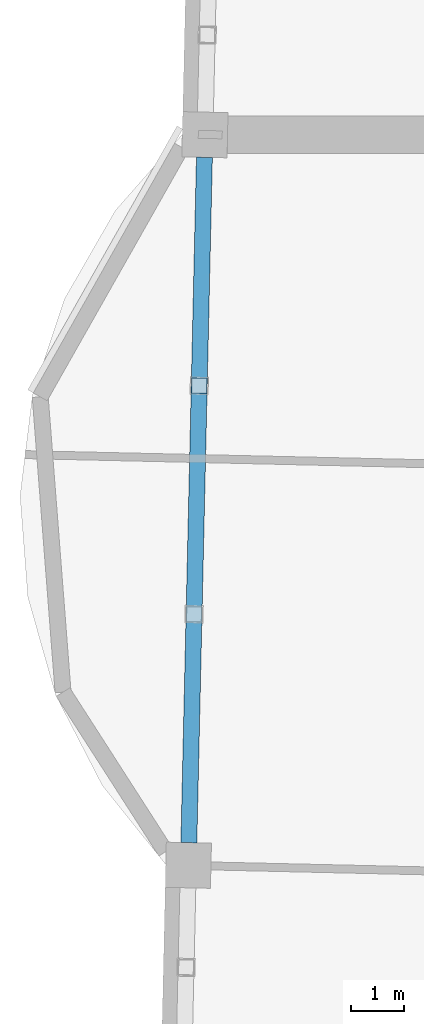
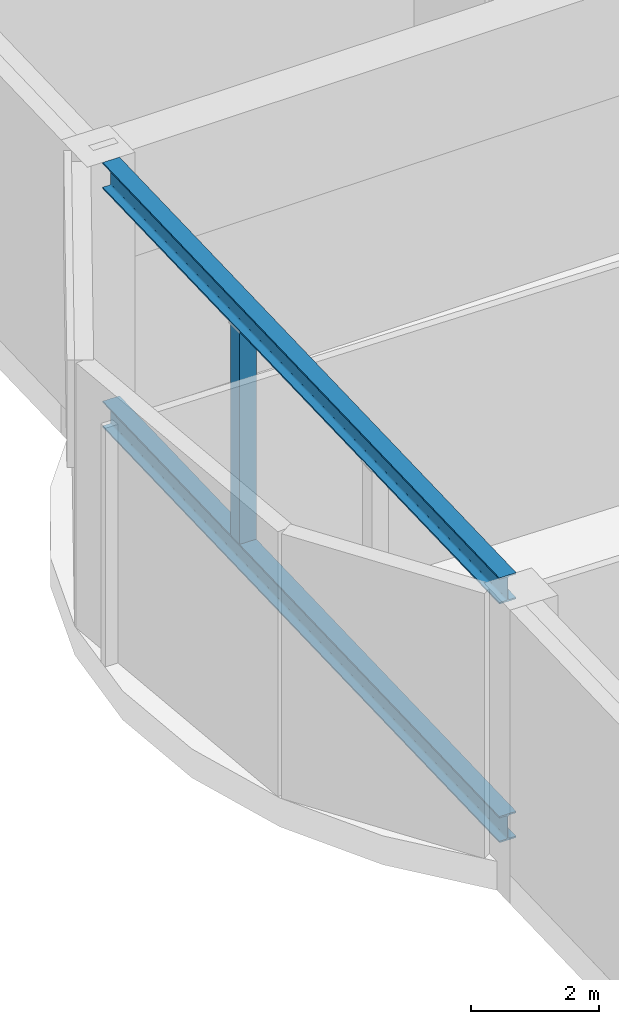
# One storey, part 3 of 16: 3 members.
"""IFC4 building model written with IfcOpenShell, lengths in metres."""

import ifcopenshell
import ifcopenshell.guid

model = None  # the IFC model being written
_history = None  # IfcOwnerHistory: only IFC2X3 demands one
_inside = {}  # id of a spatial element -> (the spatial element, [elements in it])
_under = {}  # id of a project, library or spatial element -> (it, [spatial elements below it])
_declared = {}  # id of a project -> (the project, [libraries it declares])
_typed = {}  # id of a type object -> (the type object, [elements of that type])
_made_of = {}  # id of a material, layer set ... -> (it, [elements and type objects made of it])


def new_model(schema):
    """Start an empty IFC model of exactly this schema.

    Asked for "IFC4X3", IfcOpenShell would pick the latest addendum, in which some entities
    have other attributes; the version numbers below select the first issue.
    IFC2X3 requires an IfcOwnerHistory on every rooted entity: one is made here for all.
    """
    global model, _history
    if schema == "IFC4X3":
        model = ifcopenshell.file(schema_version=(4, 3, 0, 0))
    else:
        model = ifcopenshell.file(schema=schema)
    _inside.clear()
    _under.clear()
    _declared.clear()
    _typed.clear()
    _made_of.clear()
    _history = None
    if model.schema == "IFC2X3":
        org = make("IfcOrganization", Name="unknown")
        user = make(
            "IfcPersonAndOrganization",
            ThePerson=make("IfcPerson", FamilyName="unknown"),
            TheOrganization=org,
        )
        app = make(
            "IfcApplication",
            ApplicationDeveloper=org,
            Version="unknown",
            ApplicationFullName="unknown",
            ApplicationIdentifier="unknown",
        )
        _history = make(
            "IfcOwnerHistory",
            OwningUser=user,
            OwningApplication=app,
            ChangeAction="ADDED",
            CreationDate=0,
        )
    return model


def make(cls, **values):
    """One entity of the class cls with the attributes given. An attribute that is None is left unset."""
    return model.create_entity(
        cls, **{name: value for name, value in values.items() if value is not None}
    )


def rooted(cls, **values):
    """An entity with a GlobalId (a new one), such as an element, a storey or a relation."""
    return make(cls, GlobalId=ifcopenshell.guid.new(), OwnerHistory=_history, **values)


def si_unit(unit_type, name, prefix=None):
    """IfcSIUnit, for example si_unit("LENGTHUNIT", "METRE", prefix="MILLI")."""
    return make("IfcSIUnit", UnitType=unit_type, Prefix=prefix, Name=name)


def assignment(units):
    """IfcUnitAssignment: the units of a project."""
    return None if units is None else make("IfcUnitAssignment", Units=units)


def point(xyz):
    """IfcCartesianPoint."""
    return None if xyz is None else make("IfcCartesianPoint", Coordinates=xyz)


def direction(xyz):
    """IfcDirection."""
    return None if xyz is None else make("IfcDirection", DirectionRatios=xyz)


def frame(location, z_axis=None, x_axis=None):
    """IfcAxis2Placement3D, a coordinate frame: its origin and axes. An axis left out is left unset."""
    return make(
        "IfcAxis2Placement3D",
        Location=point(location),
        Axis=direction(z_axis),
        RefDirection=direction(x_axis),
    )


def frame_2d(location, x_axis=None):
    """IfcAxis2Placement2D, a coordinate frame in the plane: its origin and x axis."""
    return make(
        "IfcAxis2Placement2D", Location=point(location), RefDirection=direction(x_axis)
    )


def origin():
    """The frame at (0, 0, 0) with its axes left unset."""
    return frame((0.0, 0.0, 0.0))


def origin_2d():
    """The frame at (0, 0) in the plane with its x axis left unset."""
    return frame_2d((0.0, 0.0))


def place(relative_to, where):
    """IfcLocalPlacement: puts the frame where relative to a parent placement (None: the world)."""
    return make(
        "IfcLocalPlacement", PlacementRelTo=relative_to, RelativePlacement=where
    )


def context(
    kind, dimensions, precision=None, world=None, true_north=None, identifier=None
):
    """IfcGeometricRepresentationContext, for example the 3D "Model" context."""
    return make(
        "IfcGeometricRepresentationContext",
        ContextIdentifier=identifier,
        ContextType=kind,
        CoordinateSpaceDimension=dimensions,
        Precision=precision,
        WorldCoordinateSystem=world,
        TrueNorth=true_north,
    )


def subcontext(parent, identifier, kind, view, scale=None):
    """IfcGeometricRepresentationSubContext, for example "Body" below "Model"."""
    return make(
        "IfcGeometricRepresentationSubContext",
        ContextIdentifier=identifier,
        ContextType=kind,
        ParentContext=parent,
        TargetScale=scale,
        TargetView=view,
    )


def project(units=None, contexts=None):
    """IfcProject with its units and contexts."""
    return rooted(
        "IfcProject",
        Name="project",
        RepresentationContexts=contexts,
        UnitsInContext=assignment(units),
    )


def spatial(cls, under=None, at=None, **own):
    """A site, building, storey or space (cls), placed at a placement, below another one or the project."""
    s = rooted(cls, ObjectPlacement=at, **own)
    if under is not None:
        _under.setdefault(under.id(), (under, []))[1].append(s)
    return s


def profile(cls, at=None, kind="AREA", **sizes):
    """A parametric profile (cls). Its sizes go by their IFC names, for example OverallWidth=200.0."""
    return make(cls, ProfileType=kind, Position=at, **sizes)


def hollow_rectangle(**sizes):
    """IfcRectangleHollowProfileDef."""
    return profile("IfcRectangleHollowProfileDef", **sizes)


def i_section(**sizes):
    """IfcIShapeProfileDef."""
    return profile("IfcIShapeProfileDef", **sizes)


def extrude(swept, where, along, depth):
    """IfcExtrudedAreaSolid: the profile swept, set in the frame where, extruded along a direction by depth."""
    return make(
        "IfcExtrudedAreaSolid",
        SweptArea=swept,
        Position=where,
        ExtrudedDirection=direction(along),
        Depth=depth,
    )


def shape(context_of_items, identifier, shape_type, items):
    """IfcShapeRepresentation: the items that make up one representation, for example the "Body"."""
    return make(
        "IfcShapeRepresentation",
        ContextOfItems=context_of_items,
        RepresentationIdentifier=identifier,
        RepresentationType=shape_type,
        Items=items,
    )


def material(Name=None, Category=None):
    """IfcMaterial."""
    return make("IfcMaterial", Name=Name, Category=Category)


def material_profile(
    of_material, cross_section, Name=None, Category=None, Priority=None
):
    """IfcMaterialProfile: a cross section and its material."""
    return make(
        "IfcMaterialProfile",
        Name=Name,
        Material=of_material,
        Profile=cross_section,
        Priority=Priority,
        Category=Category,
    )


def profile_set(profiles, Name=None, composite=None):
    """IfcMaterialProfileSet."""
    return make(
        "IfcMaterialProfileSet",
        Name=Name,
        MaterialProfiles=profiles,
        CompositeProfile=composite,
    )


def made_of(thing, what):
    """Note that an element or type object is made of a material, layer set ...; save() writes the relation."""
    if what is not None:
        _made_of.setdefault(what.id(), (what, []))[1].append(thing)
    return thing


def type_object(cls, material=None, **own):
    """A type object (cls), such as IfcWallType, which elements share."""
    return made_of(rooted(cls, **own), material)


def element(
    cls,
    number,
    at=None,
    inside=None,
    cuts=None,
    type_object=None,
    material=None,
    context=None,
    identifier="Body",
    shape_type=None,
    held_by="IfcProductDefinitionShape",
    body=None,
    shapes=None,
    **own,
):
    """One element of the class cls, such as IfcWall. Its Tag is "e" and its number.

    at: its placement. inside: the storey or other place that contains it. cuts: it is an
    opening in that element (IfcRelVoidsElement). A single representation is given by context,
    identifier, shape_type and body (its items); several are given by shapes. held_by: the class
    of the entity that holds the representations. save() writes the other relations.
    """
    e = rooted(cls, Tag="e%d" % number, ObjectPlacement=at, **own)
    if body is not None:
        shapes = [shape(context, identifier, shape_type, body)]
    if shapes is not None:
        e.Representation = make(held_by, Representations=shapes)
    if inside is not None:
        _inside.setdefault(inside.id(), (inside, []))[1].append(e)
    if cuts is not None:
        rooted(
            "IfcRelVoidsElement", RelatingBuildingElement=cuts, RelatedOpeningElement=e
        )
    if type_object is not None:
        _typed.setdefault(type_object.id(), (type_object, []))[1].append(e)
    return made_of(e, material)


def aggregate(whole, parts):
    """IfcRelAggregates: a whole, such as a stair, and the parts it consists of."""
    return rooted("IfcRelAggregates", RelatingObject=whole, RelatedObjects=parts)


def save(model, path):
    """Write the relations noted so far, then the file.

    IfcRelAggregates (storeys below a building ...), IfcRelContainedInSpatialStructure (elements
    in a storey), IfcRelDefinesByType, IfcRelAssociatesMaterial and IfcRelDeclares: one each for
    every whole, place, type object, material and project.
    """
    for whole, parts in _under.values():
        aggregate(whole, parts)
    for where, things in _inside.values():
        rooted(
            "IfcRelContainedInSpatialStructure",
            RelatedElements=things,
            RelatingStructure=where,
        )
    for kind, things in _typed.values():
        rooted("IfcRelDefinesByType", RelatedObjects=things, RelatingType=kind)
    for what, things in _made_of.values():
        rooted("IfcRelAssociatesMaterial", RelatedObjects=things, RelatingMaterial=what)
    for by, libraries in _declared.values():
        rooted("IfcRelDeclares", RelatingContext=by, RelatedDefinitions=libraries)
    model.write(path)


model = new_model("IFC4")

# Units and contexts
model_context = context("Model", 3, precision=1e-05, world=origin(), true_north=direction((0.0, 1.0)))
body_context = subcontext(model_context, "Body", "Model", "MODEL_VIEW")
ifc_project = project(units=[si_unit("LENGTHUNIT", "METRE"), si_unit("AREAUNIT", "SQUARE_METRE"), si_unit("VOLUMEUNIT", "CUBIC_METRE"), si_unit("PLANEANGLEUNIT", "RADIAN"), si_unit("MASSUNIT", "GRAM", prefix="KILO")], contexts=[model_context])

# Site, building, storey
site_placement = place(None, origin())
site = spatial("IfcSite", under=ifc_project, at=site_placement, CompositionType="ELEMENT")
building_placement = place(site_placement, origin())
building = spatial("IfcBuilding", under=site, at=building_placement, Name="Mangrove Gate Tower", CompositionType="ELEMENT")
storey_placement = place(building_placement, frame((0.0, 0.0, 324.10009765625)))
storey = spatial("IfcBuildingStorey", under=building, at=storey_placement, Name="L83", CompositionType="ELEMENT", Elevation=324.10009765625)

# Members
ifc_material_1 = material(Name="Steel S355J2", Category="steel")
ifc_material_profile_1 = material_profile(ifc_material_1, i_section(OverallWidth=0.300048828125, OverallDepth=0.5, WebThickness=0.014404296875, FlangeThickness=0.028076171875, FilletRadius=0.027099609375, at=origin_2d()))
ifc_profile_set_1 = profile_set([ifc_material_profile_1], Name="Steel S355J2")
member_type_1 = type_object("IfcMemberType", Name="Belt truss chord HE 500 B", PredefinedType="CHORD", material=ifc_profile_set_1)
for number, where, z_axis, x_axis, name in (
    (1, (-31.82080078125, 8.787353515625, 0.25), (-0.022690883298, -0.999742528762, 0.0), (0.999742528762, -0.022690883298, 0.0), "Belt truss bottom chord L83 35"),
    (2, (-31.82080078125, 8.787353515625, 4.7998046875), (-0.022690883298, -0.999742528762, 0.0), (0.999742528762, -0.022690883298, 0.0), "Belt truss top chord L83 35"),
):
    element("IfcMember", number, at=place(storey_placement, frame(where, z_axis=z_axis, x_axis=x_axis)), inside=storey, type_object=member_type_1, Name=name, PredefinedType="CHORD", context=body_context, shape_type="SweptSolid", body=[
        extrude(i_section(OverallWidth=0.300048828125, OverallDepth=0.5, WebThickness=0.014404296875, FlangeThickness=0.028076171875, FilletRadius=0.027099609375, at=origin_2d()), origin(), (0.0, 0.0, 1.0), 12.900634765625),
    ])
ifc_material_2 = material(Name="Steel S355J2H", Category="steel")
ifc_material_profile_2 = material_profile(ifc_material_2, hollow_rectangle(XDim=0.300048828125, YDim=0.300048828125, WallThickness=0.012451171875, at=origin_2d()))
ifc_profile_set_2 = profile_set([ifc_material_profile_2], Name="Steel S355J2H")
member_type_2 = type_object("IfcMemberType", Name="Belt truss post SHS 300x300x12.5", PredefinedType="POST", material=ifc_profile_set_2)
member_placement = place(storey_placement, frame((-31.918212890625, 4.48828125, 0.5), z_axis=(0.0, 0.0, 1.0), x_axis=(-0.022690020688, -0.99974254834, 0.0)))
element("IfcMember", 3, at=member_placement, inside=storey, type_object=member_type_2, Name="Belt truss post L83 35-1", PredefinedType="POST", context=body_context, shape_type="SweptSolid", body=[
    extrude(hollow_rectangle(XDim=0.300048828125, YDim=0.300048828125, WallThickness=0.012451171875, at=origin_2d()), origin(), (0.0, 0.0, 1.0), 4.0498046875),
])

save(model, "model.ifc")
